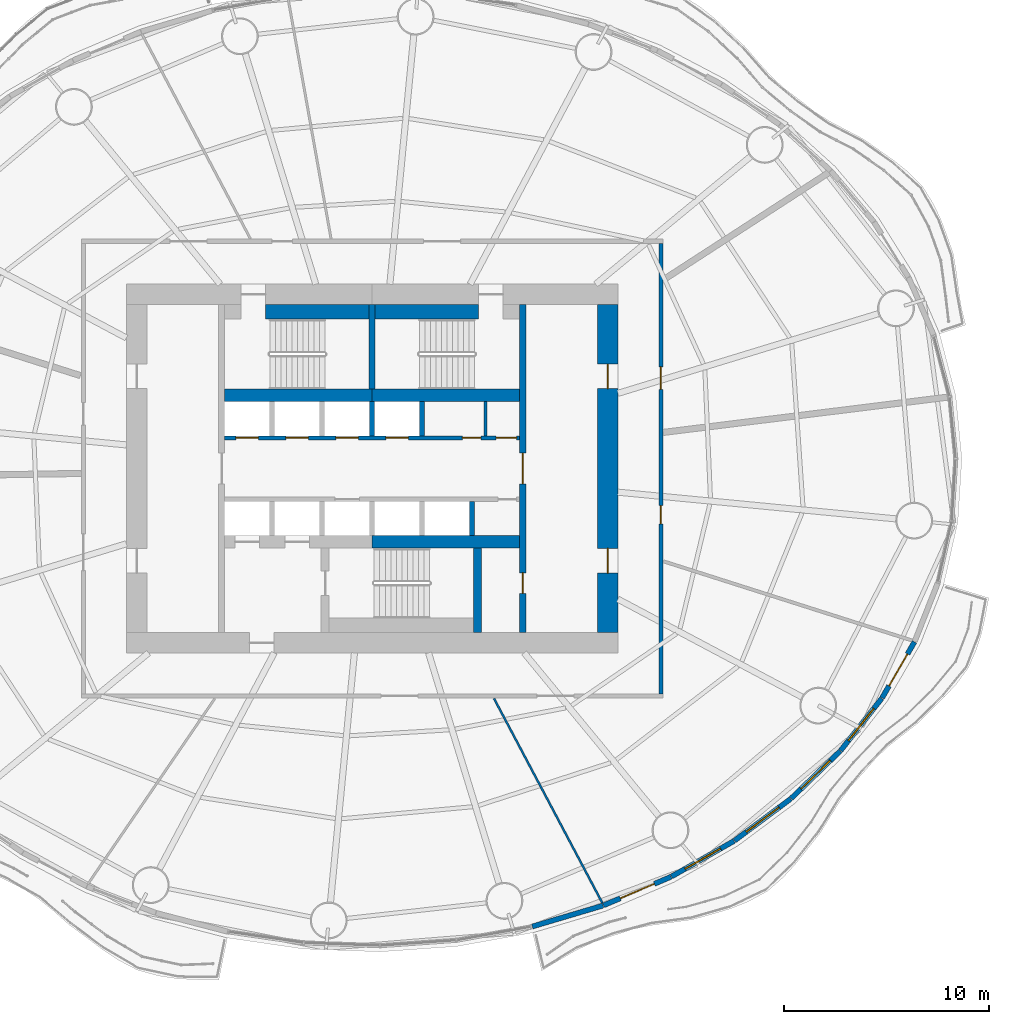
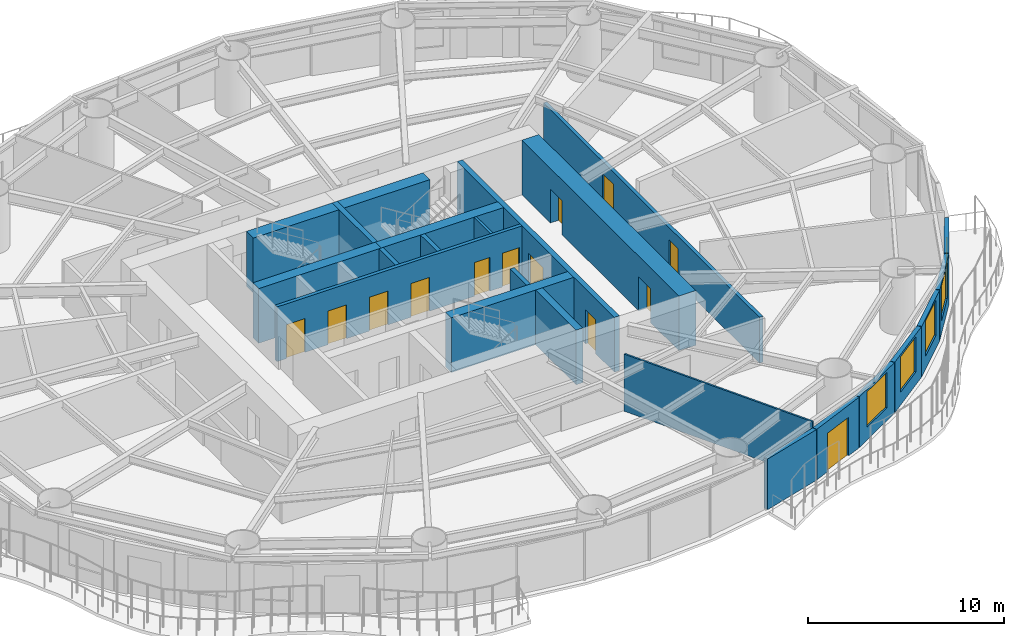
# One storey, part 9 of 17: 23 walls, 14 doors, 4 windows, 18 openings.
"""IFC4 building model written with IfcOpenShell, lengths in metres."""

from ifc_helpers import new_model, si_unit, direction, frame, frame_2d, origin, place, context, subcontext, project, spatial, rectangle, extrude, material, layer, layer_set, type_object, element, fill, save


model = new_model("IFC4")

# Units and contexts
model_context = context("Model", 3, precision=1e-05, world=origin(), true_north=direction((0.0, 1.0)))
body_context = subcontext(model_context, "Body", "Model", "MODEL_VIEW")
ifc_project = project(units=[si_unit("LENGTHUNIT", "METRE"), si_unit("AREAUNIT", "SQUARE_METRE"), si_unit("VOLUMEUNIT", "CUBIC_METRE"), si_unit("PLANEANGLEUNIT", "RADIAN"), si_unit("MASSUNIT", "GRAM", prefix="KILO")], contexts=[model_context])

# Site, building, storey
site_placement = place(None, origin())
site = spatial("IfcSite", under=ifc_project, at=site_placement, CompositionType="ELEMENT")
building_placement = place(site_placement, origin())
building = spatial("IfcBuilding", under=site, at=building_placement, Name="Vermilion Reach Broadcast Tower", CompositionType="ELEMENT")
storey_placement = place(building_placement, frame((0.0, 0.0, 39.699951171875)))
storey = spatial("IfcBuildingStorey", under=building, at=storey_placement, Name="L06", CompositionType="ELEMENT", Elevation=39.699951171875)

# Wall, openings, doors
ifc_material_1 = material(Name="Concrete C70", Category="concrete")
ifc_layer_1 = layer(ifc_material_1, 0.300048828125)
ifc_layer_set_1 = layer_set([ifc_layer_1], Name="Core inner wall 300 mm Concrete C70")
wall_type_1 = type_object("IfcWallType", Name="Core inner wall 300 mm Concrete C70", PredefinedType="SHEAR", material=ifc_layer_set_1)
wall_1_placement = place(storey_placement, frame((1.35009765625, -8.0, 0.0), z_axis=(0.0, 0.0, 1.0), x_axis=(0.0, 1.0, 0.0)))
wall_1 = element("IfcWall", 1, at=wall_1_placement, inside=storey, type_object=wall_type_1, Name="L06 core wall ewE", PredefinedType="SHEAR", context=body_context, shape_type="SweptSolid", body=[
    extrude(rectangle(XDim=16.0, YDim=0.300048828125, at=frame_2d((8.0, 0.0))), origin(), (0.0, 0.0, 1.0), 3.400146484375),
])
opening_1_placement = place(wall_1_placement, frame((1.909912109375, 0.0, 0.0)))
opening_1 = element("IfcOpeningElement", 2, at=opening_1_placement, cuts=wall_1, Name="Opening D05", PredefinedType="OPENING", context=body_context, shape_type="SweptSolid", body=[
    extrude(rectangle(XDim=1.0, YDim=2.10009765625, at=frame_2d((0.5, 1.050048828125))), frame((0.0, 0.159912109375, 0.0), z_axis=(0.0, -1.0, 0.0), x_axis=(1.0, 0.0, 0.0)), (0.0, 0.0, 1.0), 0.320068359375),
])
opening_2_placement = place(wall_1_placement, frame((7.25, 0.0, 0.0)))
opening_2 = element("IfcOpeningElement", 3, at=opening_2_placement, cuts=wall_1, Name="Opening D04", PredefinedType="OPENING", context=body_context, shape_type="SweptSolid", body=[
    extrude(rectangle(XDim=1.5, YDim=2.10009765625, at=frame_2d((0.75, 1.050048828125))), frame((0.0, 0.159912109375, 0.0), z_axis=(0.0, -1.0, 0.0), x_axis=(1.0, 0.0, 0.0)), (0.0, 0.0, 1.0), 0.320068359375),
])
ifc_material_2 = material(Name="Painted steel fire door", Category="steel")
door_type_1 = type_object("IfcDoorType", Name="Lift lobby door 1500 x 2100", OperationType="DOUBLE_DOOR_SINGLE_SWING", PredefinedType="NOTDEFINED", material=ifc_material_2)
door_1_placement = place(opening_2_placement, origin())
door_1 = element("IfcDoor", 4, at=door_1_placement, inside=storey, type_object=door_type_1, Name="L06 band door BE", OperationType="DOUBLE_DOOR_SINGLE_SWING", OverallHeight=2.10009765625, OverallWidth=1.5, PredefinedType="NOTDEFINED", context=body_context, shape_type="SweptSolid", body=[
    extrude(rectangle(XDim=1.5, YDim=2.10009765625, at=frame_2d((0.75, 1.050048828125))), frame((0.0, 0.02490234375, 0.0), z_axis=(0.0, -1.0, 0.0), x_axis=(1.0, 0.0, 0.0)), (0.0, 0.0, 1.0), 0.050048828125),
])
fill(opening_2, door_1)
ifc_material_3 = material(Name="Timber door", Category="wood")
door_type_2 = type_object("IfcDoorType", Name="Room door 1000 x 2100", OperationType="NOTDEFINED", PredefinedType="NOTDEFINED", material=ifc_material_3)
door_2_placement = place(opening_1_placement, origin())
door_2 = element("IfcDoor", 5, at=door_2_placement, inside=storey, type_object=door_type_2, Name="L06 door SER", OperationType="SINGLE_SWING_LEFT", OverallHeight=2.10009765625, OverallWidth=1.0, PredefinedType="NOTDEFINED", context=body_context, shape_type="SweptSolid", body=[
    extrude(rectangle(XDim=1.0, YDim=2.10009765625, at=frame_2d((0.5, 1.050048828125))), frame((0.0, 0.02490234375, 0.0), z_axis=(0.0, -1.0, 0.0), x_axis=(1.0, 0.0, 0.0)), (0.0, 0.0, 1.0), 0.050048828125),
])
fill(opening_1, door_2)

# Walls
wall_2_placement = place(storey_placement, frame((-6.0, 3.8798828125, 0.0), z_axis=(0.0, 0.0, 1.0), x_axis=(0.0, 1.0, 0.0)))
element("IfcWall", 6, at=wall_2_placement, inside=storey, type_object=wall_type_1, Name="L06 core wall wc", PredefinedType="SHEAR", context=body_context, shape_type="SweptSolid", body=[
    extrude(rectangle(XDim=4.1201171875, YDim=0.300048828125, at=frame_2d((2.06005859375, 0.0))), origin(), (0.0, 0.0, 1.0), 3.400146484375),
])
ifc_material_4 = material(Name="Concrete C70", Category="concrete")
ifc_layer_2 = layer(ifc_material_4, 0.39990234375)
ifc_layer_set_2 = layer_set([ifc_layer_2], Name="Core inner wall 400 mm Concrete C70")
wall_type_2 = type_object("IfcWallType", Name="Core inner wall 400 mm Concrete C70", PredefinedType="SHEAR", material=ifc_layer_set_2)
wall_3_placement = place(storey_placement, frame((-0.85009765625, -3.8798828125, 0.0), z_axis=(0.0, 0.0, 1.0), x_axis=(0.0, -1.0, 0.0)))
element("IfcWall", 7, at=wall_3_placement, inside=storey, type_object=wall_type_2, Name="L06 core wall wb", PredefinedType="SHEAR", context=body_context, shape_type="SweptSolid", body=[
    extrude(rectangle(XDim=4.1201171875, YDim=0.39990234375, at=frame_2d((2.06005859375, 0.0))), origin(), (0.0, 0.0, 1.0), 3.400146484375),
])
ifc_material_5 = material(Name="Concrete C70", Category="concrete")
ifc_layer_3 = layer(ifc_material_5, 0.60009765625)
ifc_layer_set_3 = layer_set([ifc_layer_3], Name="Core inner wall 600 mm Concrete C70")
wall_type_3 = type_object("IfcWallType", Name="Core inner wall 600 mm Concrete C70", PredefinedType="SHEAR", material=ifc_layer_set_3)
for number, where, z_axis, x_axis, name in (
    (8, (-13.199951171875, 3.580078125, 0.0), (0.0, 0.0, 1.0), (1.0, 0.0, 0.0), "L06 core wall winW"),
    (9, (-6.0, 3.580078125, 0.0), (0.0, 0.0, 1.0), (1.0, 0.0, 0.0), "L06 core wall winE"),
    (10, (-6.0, -3.580078125, 0.0), (0.0, 0.0, 1.0), (1.0, 0.0, 0.0), "L06 core wall wisE"),
):
    element("IfcWall", number, at=place(storey_placement, frame(where, z_axis=z_axis, x_axis=x_axis)), inside=storey, type_object=wall_type_3, Name=name, PredefinedType="SHEAR", context=body_context, shape_type="SweptSolid", body=[
        extrude(rectangle(XDim=7.199951171875, YDim=0.60009765625, at=frame_2d((3.60009765625, 0.0))), origin(), (0.0, 0.0, 1.0), 3.400146484375),
    ])

# Wall, openings, doors
ifc_material_6 = material(Name="Concrete C70", Category="concrete")
ifc_layer_4 = layer(ifc_material_6, 1.0)
ifc_layer_set_4 = layer_set([ifc_layer_4], Name="Core outer wall 1000 mm Concrete C70")
wall_type_4 = type_object("IfcWallType", Name="Core outer wall 1000 mm Concrete C70", PredefinedType="SHEAR", material=ifc_layer_set_4)
wall_4_placement = place(storey_placement, frame((5.5, -8.0, 0.0), z_axis=(0.0, 0.0, 1.0), x_axis=(0.0, 1.0, 0.0)))
wall_4 = element("IfcWall", 11, at=wall_4_placement, inside=storey, type_object=wall_type_4, Name="L06 core wall oe", PredefinedType="SHEAR", context=body_context, shape_type="SweptSolid", body=[
    extrude(rectangle(XDim=16.0, YDim=1.0, at=frame_2d((8.0, 0.0))), origin(), (0.0, 0.0, 1.0), 3.400146484375),
])
opening_3_placement = place(wall_4_placement, frame((2.89990234375, 0.0, 0.0)))
opening_3 = element("IfcOpeningElement", 12, at=opening_3_placement, cuts=wall_4, Name="Opening D03", PredefinedType="OPENING", context=body_context, shape_type="SweptSolid", body=[
    extrude(rectangle(XDim=1.199951171875, YDim=2.10009765625, at=frame_2d((0.60009765625, 1.050048828125))), frame((0.0, 0.510009765625, 0.0), z_axis=(0.0, -1.0, 0.0), x_axis=(1.0, 0.0, 0.0)), (0.0, 0.0, 1.0), 1.02001953125),
])
opening_4_placement = place(wall_4_placement, frame((11.89990234375, 0.0, 0.0)))
opening_4 = element("IfcOpeningElement", 13, at=opening_4_placement, cuts=wall_4, Name="Opening D03", PredefinedType="OPENING", context=body_context, shape_type="SweptSolid", body=[
    extrude(rectangle(XDim=1.199951171875, YDim=2.10009765625, at=frame_2d((0.60009765625, 1.050048828125))), frame((0.0, 0.510009765625, 0.0), z_axis=(0.0, -1.0, 0.0), x_axis=(1.0, 0.0, 0.0)), (0.0, 0.0, 1.0), 1.02001953125),
])
ifc_material_7 = material(Name="Painted steel fire door", Category="steel")
door_type_3 = type_object("IfcDoorType", Name="Core lobby door 1200 x 2100", OperationType="DOUBLE_DOOR_SINGLE_SWING", PredefinedType="NOTDEFINED", material=ifc_material_7)
door_3_placement = place(opening_3_placement, origin())
door_3 = element("IfcDoor", 14, at=door_3_placement, inside=storey, type_object=door_type_3, Name="L06 slot door E0", OperationType="DOUBLE_DOOR_SINGLE_SWING", OverallHeight=2.10009765625, OverallWidth=1.199951171875, PredefinedType="NOTDEFINED", context=body_context, shape_type="SweptSolid", body=[
    extrude(rectangle(XDim=1.199951171875, YDim=2.10009765625, at=frame_2d((0.60009765625, 1.050048828125))), frame((0.0, 0.02490234375, 0.0), z_axis=(0.0, -1.0, 0.0), x_axis=(1.0, 0.0, 0.0)), (0.0, 0.0, 1.0), 0.050048828125),
])
fill(opening_3, door_3)
door_4_placement = place(opening_4_placement, origin())
door_4 = element("IfcDoor", 15, at=door_4_placement, inside=storey, type_object=door_type_3, Name="L06 slot door E1", OperationType="DOUBLE_DOOR_SINGLE_SWING", OverallHeight=2.10009765625, OverallWidth=1.199951171875, PredefinedType="NOTDEFINED", context=body_context, shape_type="SweptSolid", body=[
    extrude(rectangle(XDim=1.199951171875, YDim=2.10009765625, at=frame_2d((0.60009765625, 1.050048828125))), frame((0.0, 0.02490234375, 0.0), z_axis=(0.0, -1.0, 0.0), x_axis=(1.0, 0.0, 0.0)), (0.0, 0.0, 1.0), 0.050048828125),
])
fill(opening_4, door_4)

# Wall
ifc_material_8 = material(Name="Masonry block", Category="masonry")
ifc_layer_5 = layer(ifc_material_8, 0.14990234375)
ifc_layer_set_5 = layer_set([ifc_layer_5], Name="Core partition wall 150 mm Masonry block")
wall_type_5 = type_object("IfcWallType", Name="Core partition wall 150 mm Masonry block", PredefinedType="PARTITIONING", material=ifc_layer_set_5)
wall_5_placement = place(storey_placement, frame((-0.468017578125, 1.60009765625, 0.0), z_axis=(0.0, 0.0, 1.0), x_axis=(0.0, 1.0, 0.0)))
element("IfcWall", 16, at=wall_5_placement, inside=storey, type_object=wall_type_5, Name="L06 core wall prN5532", PredefinedType="PARTITIONING", context=body_context, shape_type="SweptSolid", body=[
    extrude(rectangle(XDim=1.679931640625, YDim=0.14990234375, at=frame_2d((0.83984375, 0.0))), origin(), (0.0, 0.0, 1.0), 3.400146484375),
])

# Wall, openings, doors
ifc_material_9 = material(Name="Concrete C50", Category="concrete")
ifc_layer_6 = layer(ifc_material_9, 0.199951171875)
ifc_layer_set_6 = layer_set([ifc_layer_6], Name="Core shaft wall 200 mm Concrete C50")
wall_type_6 = type_object("IfcWallType", Name="Core shaft wall 200 mm Concrete C50", PredefinedType="SHEAR", material=ifc_layer_set_6)
wall_6_placement = place(storey_placement, frame((-13.199951171875, 1.5, 0.0), z_axis=(0.0, 0.0, 1.0), x_axis=(1.0, 0.0, 0.0)))
wall_6 = element("IfcWall", 17, at=wall_6_placement, inside=storey, type_object=wall_type_6, Name="L06 core wall fn", PredefinedType="SHEAR", context=body_context, shape_type="SweptSolid", body=[
    extrude(rectangle(XDim=14.39990234375, YDim=0.199951171875, at=frame_2d((7.199951171875, 0.0))), origin(), (0.0, 0.0, 1.0), 3.400146484375),
])
opening_5_placement = place(wall_6_placement, frame((0.5458984375, 0.0, 0.0)))
opening_5 = element("IfcOpeningElement", 18, at=opening_5_placement, cuts=wall_6, Name="Opening LD2", PredefinedType="OPENING", context=body_context, shape_type="SweptSolid", body=[
    extrude(rectangle(XDim=1.10009765625, YDim=2.10009765625, at=frame_2d((0.550048828125, 1.050048828125))), frame((0.0, 0.10986328125, 0.0), z_axis=(0.0, -1.0, 0.0), x_axis=(1.0, 0.0, 0.0)), (0.0, 0.0, 1.0), 0.219970703125),
])
opening_6_placement = place(wall_6_placement, frame((2.987548828125, 0.0, 0.0)))
opening_6 = element("IfcOpeningElement", 19, at=opening_6_placement, cuts=wall_6, Name="Opening LD2", PredefinedType="OPENING", context=body_context, shape_type="SweptSolid", body=[
    extrude(rectangle(XDim=1.10009765625, YDim=2.10009765625, at=frame_2d((0.550048828125, 1.050048828125))), frame((0.0, 0.10986328125, 0.0), z_axis=(0.0, -1.0, 0.0), x_axis=(1.0, 0.0, 0.0)), (0.0, 0.0, 1.0), 0.219970703125),
])
opening_7_placement = place(wall_6_placement, frame((5.42919921875, 0.0, 0.0)))
opening_7 = element("IfcOpeningElement", 20, at=opening_7_placement, cuts=wall_6, Name="Opening LD2", PredefinedType="OPENING", context=body_context, shape_type="SweptSolid", body=[
    extrude(rectangle(XDim=1.10009765625, YDim=2.10009765625, at=frame_2d((0.550048828125, 1.050048828125))), frame((0.0, 0.10986328125, 0.0), z_axis=(0.0, -1.0, 0.0), x_axis=(1.0, 0.0, 0.0)), (0.0, 0.0, 1.0), 0.219970703125),
])
opening_8_placement = place(wall_6_placement, frame((7.870849609375, 0.0, 0.0)))
opening_8 = element("IfcOpeningElement", 21, at=opening_8_placement, cuts=wall_6, Name="Opening LD2", PredefinedType="OPENING", context=body_context, shape_type="SweptSolid", body=[
    extrude(rectangle(XDim=1.10009765625, YDim=2.10009765625, at=frame_2d((0.550048828125, 1.050048828125))), frame((0.0, 0.10986328125, 0.0), z_axis=(0.0, -1.0, 0.0), x_axis=(1.0, 0.0, 0.0)), (0.0, 0.0, 1.0), 0.219970703125),
])
opening_9_placement = place(wall_6_placement, frame((11.60693359375, 0.0, 0.0)))
opening_9 = element("IfcOpeningElement", 22, at=opening_9_placement, cuts=wall_6, Name="Opening D06", PredefinedType="OPENING", context=body_context, shape_type="SweptSolid", body=[
    extrude(rectangle(XDim=0.89990234375, YDim=2.10009765625, at=frame_2d((0.449951171875, 1.050048828125))), frame((0.0, 0.10986328125, 0.0), z_axis=(0.0, -1.0, 0.0), x_axis=(1.0, 0.0, 0.0)), (0.0, 0.0, 1.0), 0.219970703125),
])
opening_10_placement = place(wall_6_placement, frame((13.25, 0.0, 0.0)))
opening_10 = element("IfcOpeningElement", 23, at=opening_10_placement, cuts=wall_6, Name="Opening D07", PredefinedType="OPENING", context=body_context, shape_type="SweptSolid", body=[
    extrude(rectangle(XDim=1.0, YDim=2.10009765625, at=frame_2d((0.5, 1.050048828125))), frame((0.0, 0.10986328125, 0.0), z_axis=(0.0, -1.0, 0.0), x_axis=(1.0, 0.0, 0.0)), (0.0, 0.0, 1.0), 0.219970703125),
])
ifc_material_10 = material(Name="Timber door", Category="wood")
door_type_4 = type_object("IfcDoorType", Name="Accessible WC door 1000 x 2100", OperationType="NOTDEFINED", PredefinedType="NOTDEFINED", material=ifc_material_10)
door_5_placement = place(opening_10_placement, origin())
door_5 = element("IfcDoor", 24, at=door_5_placement, inside=storey, type_object=door_type_4, Name="L06 door Accessible WC", OperationType="SINGLE_SWING_RIGHT", OverallHeight=2.10009765625, OverallWidth=1.0, PredefinedType="NOTDEFINED", context=body_context, shape_type="SweptSolid", body=[
    extrude(rectangle(XDim=1.0, YDim=2.10009765625, at=frame_2d((0.5, 1.050048828125))), frame((0.0, 0.02490234375, 0.0), z_axis=(0.0, -1.0, 0.0), x_axis=(1.0, 0.0, 0.0)), (0.0, 0.0, 1.0), 0.050048828125),
])
fill(opening_10, door_5)
ifc_material_11 = material(Name="Stainless steel", Category="steel")
door_type_5 = type_object("IfcDoorType", Name="Landing door 1100 x 2100", OperationType="DOUBLE_DOOR_SLIDING", PredefinedType="NOTDEFINED", material=ifc_material_11)
door_6_placement = place(opening_5_placement, origin())
door_6 = element("IfcDoor", 25, at=door_6_placement, inside=storey, type_object=door_type_5, Name="L06 landing door LR1", OperationType="DOUBLE_DOOR_SLIDING", OverallHeight=2.10009765625, OverallWidth=1.10009765625, PredefinedType="NOTDEFINED", context=body_context, shape_type="SweptSolid", body=[
    extrude(rectangle(XDim=1.10009765625, YDim=2.10009765625, at=frame_2d((0.550048828125, 1.050048828125))), frame((0.0, 0.02490234375, 0.0), z_axis=(0.0, -1.0, 0.0), x_axis=(1.0, 0.0, 0.0)), (0.0, 0.0, 1.0), 0.050048828125),
])
fill(opening_5, door_6)
door_7_placement = place(opening_6_placement, origin())
door_7 = element("IfcDoor", 26, at=door_7_placement, inside=storey, type_object=door_type_5, Name="L06 landing door LR2", OperationType="DOUBLE_DOOR_SLIDING", OverallHeight=2.10009765625, OverallWidth=1.10009765625, PredefinedType="NOTDEFINED", context=body_context, shape_type="SweptSolid", body=[
    extrude(rectangle(XDim=1.10009765625, YDim=2.10009765625, at=frame_2d((0.550048828125, 1.050048828125))), frame((0.0, 0.02490234375, 0.0), z_axis=(0.0, -1.0, 0.0), x_axis=(1.0, 0.0, 0.0)), (0.0, 0.0, 1.0), 0.050048828125),
])
fill(opening_6, door_7)
door_8_placement = place(opening_7_placement, origin())
door_8 = element("IfcDoor", 27, at=door_8_placement, inside=storey, type_object=door_type_5, Name="L06 landing door LR3", OperationType="DOUBLE_DOOR_SLIDING", OverallHeight=2.10009765625, OverallWidth=1.10009765625, PredefinedType="NOTDEFINED", context=body_context, shape_type="SweptSolid", body=[
    extrude(rectangle(XDim=1.10009765625, YDim=2.10009765625, at=frame_2d((0.550048828125, 1.050048828125))), frame((0.0, 0.02490234375, 0.0), z_axis=(0.0, -1.0, 0.0), x_axis=(1.0, 0.0, 0.0)), (0.0, 0.0, 1.0), 0.050048828125),
])
fill(opening_7, door_8)
door_9_placement = place(opening_8_placement, origin())
door_9 = element("IfcDoor", 28, at=door_9_placement, inside=storey, type_object=door_type_5, Name="L06 landing door LR4", OperationType="DOUBLE_DOOR_SLIDING", OverallHeight=2.10009765625, OverallWidth=1.10009765625, PredefinedType="NOTDEFINED", context=body_context, shape_type="SweptSolid", body=[
    extrude(rectangle(XDim=1.10009765625, YDim=2.10009765625, at=frame_2d((0.550048828125, 1.050048828125))), frame((0.0, 0.02490234375, 0.0), z_axis=(0.0, -1.0, 0.0), x_axis=(1.0, 0.0, 0.0)), (0.0, 0.0, 1.0), 0.050048828125),
])
fill(opening_8, door_9)
ifc_material_12 = material(Name="Timber door", Category="wood")
door_type_6 = type_object("IfcDoorType", Name="WC door 900 x 2100", OperationType="NOTDEFINED", PredefinedType="NOTDEFINED", material=ifc_material_12)
door_10_placement = place(opening_9_placement, origin())
door_10 = element("IfcDoor", 29, at=door_10_placement, inside=storey, type_object=door_type_6, Name="L06 door Female WC", OperationType="SINGLE_SWING_RIGHT", OverallHeight=2.10009765625, OverallWidth=0.89990234375, PredefinedType="NOTDEFINED", context=body_context, shape_type="SweptSolid", body=[
    extrude(rectangle(XDim=0.89990234375, YDim=2.10009765625, at=frame_2d((0.449951171875, 1.050048828125))), frame((0.0, 0.02490234375, 0.0), z_axis=(0.0, -1.0, 0.0), x_axis=(1.0, 0.0, 0.0)), (0.0, 0.0, 1.0), 0.050048828125),
])
fill(opening_9, door_10)

# Walls
ifc_material_13 = material(Name="Concrete C50", Category="concrete")
ifc_layer_7 = layer(ifc_material_13, 0.25)
ifc_layer_set_7 = layer_set([ifc_layer_7], Name="Core shaft wall 250 mm Concrete C50")
wall_type_7 = type_object("IfcWallType", Name="Core shaft wall 250 mm Concrete C50", PredefinedType="SHEAR", material=ifc_layer_set_7)
for number, where, z_axis, x_axis, name in (
    (30, (-6.0, 1.60009765625, 0.0), (0.0, 0.0, 1.0), (0.0, 1.0, 0.0), "L06 core wall psN2"),
    (31, (-3.558349609375, 1.60009765625, 0.0), (0.0, 0.0, 1.0), (0.0, 1.0, 0.0), "L06 core wall psN3"),
    (32, (-1.11669921875, -1.60009765625, 0.0), (0.0, 0.0, 1.0), (0.0, -1.0, 0.0), "L06 core wall psS4"),
):
    element("IfcWall", number, at=place(storey_placement, frame(where, z_axis=z_axis, x_axis=x_axis)), inside=storey, type_object=wall_type_7, Name=name, PredefinedType="SHEAR", context=body_context, shape_type="SweptSolid", body=[
        extrude(rectangle(XDim=1.679931640625, YDim=0.25, at=frame_2d((0.83984375, 0.0))), origin(), (0.0, 0.0, 1.0), 3.400146484375),
    ])
ifc_material_14 = material(Name="Concrete C70", Category="concrete")
ifc_layer_8 = layer(ifc_material_14, 0.699951171875)
ifc_layer_set_8 = layer_set([ifc_layer_8], Name="Core stair wall 700 mm Concrete C70")
wall_type_8 = type_object("IfcWallType", Name="Core stair wall 700 mm Concrete C70", PredefinedType="SHEAR", material=ifc_layer_set_8)
for number, where, z_axis, x_axis, name in (
    (33, (-11.199951171875, 7.64990234375, 0.0), (0.0, 0.0, 1.0), (1.0, 0.0, 0.0), "L06 core wall l1b"),
    (34, (-5.85009765625, 7.64990234375, 0.0), (0.0, 0.0, 1.0), (1.0, 0.0, 0.0), "L06 core wall l2a"),
):
    element("IfcWall", number, at=place(storey_placement, frame(where, z_axis=z_axis, x_axis=x_axis)), inside=storey, type_object=wall_type_8, Name=name, PredefinedType="SHEAR", context=body_context, shape_type="SweptSolid", body=[
        extrude(rectangle(XDim=5.050048828125, YDim=0.699951171875, at=frame_2d((2.52490234375, 0.0))), origin(), (0.0, 0.0, 1.0), 3.400146484375),
    ])
ifc_material_15 = material(Name="Plasterboard on steel stud", Category="steel")
ifc_layer_9 = layer(ifc_material_15, 0.10009765625)
ifc_layer_set_9 = layer_set([ifc_layer_9], Name="Partition 100 steel stud")
wall_type_9 = type_object("IfcWallType", Name="Partition 100 steel stud", PredefinedType="PARTITIONING", material=ifc_layer_set_9)
wall_7_placement = place(storey_placement, frame((5.241455078125, -21.21533203125, 0.0), z_axis=(0.0, 0.0, 1.0), x_axis=(-0.468204132098, 0.883620331752, 0.0)))
element("IfcWall", 35, at=wall_7_placement, inside=storey, type_object=wall_type_9, Name="Partition 6.08", PredefinedType="PARTITIONING", context=body_context, shape_type="SweptSolid", body=[
    extrude(rectangle(XDim=11.307861328125, YDim=0.10009765625, at=frame_2d((5.65380859375, 0.0))), origin(), (0.0, 0.0, 1.0), 3.550048828125),
])
ifc_material_16 = material(Name="Terracotta rainscreen cladding", Category="masonry")
ifc_layer_10 = layer(ifc_material_16, 0.25)
ifc_layer_set_10 = layer_set([ifc_layer_10], Name="Terracotta rainscreen wall 250")
wall_type_10 = type_object("IfcWallType", Name="Terracotta rainscreen wall 250", PredefinedType="SOLIDWALL", material=ifc_layer_set_10)
wall_8_placement = place(storey_placement, frame((1.818115234375, -22.35986328125, 0.0), z_axis=(0.0, 0.0, 1.0), x_axis=(0.958796062101, 0.284095250399, 0.0)))
element("IfcWall", 36, at=wall_8_placement, inside=storey, type_object=wall_type_10, Name="External wall L06 38", PredefinedType="SOLIDWALL", context=body_context, shape_type="SweptSolid", body=[
    extrude(rectangle(XDim=3.603271484375, YDim=0.25, at=frame_2d((1.8017578125, 0.0))), origin(), (0.0, 0.0, 1.0), 3.150146484375),
])

# Wall, opening, door
wall_9_placement = place(storey_placement, frame((5.293701171875, -21.32861328125, 0.0), z_axis=(0.0, 0.0, 1.0), x_axis=(0.920777409004, 0.390088404169, 0.0)))
wall_9 = element("IfcWall", 37, at=wall_9_placement, inside=storey, type_object=wall_type_10, Name="External wall L06 39", PredefinedType="SOLIDWALL", context=body_context, shape_type="SweptSolid", body=[
    extrude(rectangle(XDim=3.58740234375, YDim=0.25, at=frame_2d((1.793701171875, 0.0))), origin(), (0.0, 0.0, 1.0), 3.150146484375),
])
opening_11_placement = place(wall_9_placement, frame((0.89404296875, 0.0, 0.0)))
opening_11 = element("IfcOpeningElement", 38, at=opening_11_placement, cuts=wall_9, Name="Opening D70", PredefinedType="OPENING", context=body_context, shape_type="SweptSolid", body=[
    extrude(rectangle(XDim=1.800048828125, YDim=2.39990234375, at=frame_2d((0.89990234375, 1.199951171875))), frame((0.0, 0.135009765625, 0.0), z_axis=(0.0, -1.0, 0.0), x_axis=(1.0, 0.0, 0.0)), (0.0, 0.0, 1.0), 0.27001953125),
])
ifc_material_17 = material(Name="Low-e laminated clear glass in aluminium frame", Category="aluminium")
door_type_7 = type_object("IfcDoorType", Name="Balcony sliding door 1800 x 2400", OperationType="DOUBLE_DOOR_SLIDING", PredefinedType="DOOR", material=ifc_material_17)
door_11_placement = place(opening_11_placement, origin())
door_11 = element("IfcDoor", 39, at=door_11_placement, inside=storey, type_object=door_type_7, Name="Balcony door L06 run 10", OperationType="DOUBLE_DOOR_SLIDING", OverallHeight=2.39990234375, OverallWidth=1.800048828125, PredefinedType="DOOR", context=body_context, shape_type="SweptSolid", body=[
    extrude(rectangle(XDim=1.800048828125, YDim=2.39990234375, at=frame_2d((0.89990234375, 1.199951171875))), frame((0.0, 0.02490234375, 0.0), z_axis=(0.0, -1.0, 0.0), x_axis=(1.0, 0.0, 0.0)), (0.0, 0.0, 1.0), 0.050048828125),
])
fill(opening_11, door_11)

# Wall, opening, window
wall_10_placement = place(storey_placement, frame((8.6171875, -19.919189453125, 0.0), z_axis=(0.0, 0.0, 1.0), x_axis=(0.868943789931, 0.494910789881, 0.0)))
wall_10 = element("IfcWall", 40, at=wall_10_placement, inside=storey, type_object=wall_type_10, Name="External wall L06 40", PredefinedType="SOLIDWALL", context=body_context, shape_type="SweptSolid", body=[
    extrude(rectangle(XDim=3.51220703125, YDim=0.25, at=frame_2d((1.756103515625, 0.0))), origin(), (0.0, 0.0, 1.0), 3.150146484375),
])
opening_12_placement = place(wall_10_placement, frame((0.756103515625, 0.0, 0.800048828125)))
opening_12 = element("IfcOpeningElement", 41, at=opening_12_placement, cuts=wall_10, Name="Opening W01", PredefinedType="OPENING", context=body_context, shape_type="SweptSolid", body=[
    extrude(rectangle(XDim=2.0, YDim=2.199951171875, at=frame_2d((1.0, 1.10009765625))), frame((0.0, 0.135009765625, 0.0), z_axis=(0.0, -1.0, 0.0), x_axis=(1.0, 0.0, 0.0)), (0.0, 0.0, 1.0), 0.27001953125),
])
ifc_material_18 = material(Name="Low-e laminated clear glass in aluminium frame", Category="aluminium")
window_type = type_object("IfcWindowType", Name="Punched window 2000 x 2200 sill 800", PartitioningType="SINGLE_PANEL", PredefinedType="WINDOW", material=ifc_material_18)
window_1_placement = place(opening_12_placement, origin())
window_1 = element("IfcWindow", 42, at=window_1_placement, inside=storey, type_object=window_type, Name="Window L06 40", OverallHeight=2.199951171875, OverallWidth=2.0, PartitioningType="SINGLE_PANEL", PredefinedType="WINDOW", context=body_context, shape_type="SweptSolid", body=[
    extrude(rectangle(XDim=2.0, YDim=2.199951171875, at=frame_2d((1.0, 1.10009765625))), frame((0.0, 0.030029296875, 0.0), z_axis=(0.0, -1.0, 0.0), x_axis=(1.0, 0.0, 0.0)), (0.0, 0.0, 1.0), 0.06005859375),
])
fill(opening_12, window_1)

wall_11_placement = place(storey_placement, frame((11.688720703125, -18.168212890625, 0.0), z_axis=(0.0, 0.0, 1.0), x_axis=(0.802166551417, 0.597100346498, 0.0)))
wall_11 = element("IfcWall", 43, at=wall_11_placement, inside=storey, type_object=wall_type_10, Name="External wall L06 41", PredefinedType="SOLIDWALL", context=body_context, shape_type="SweptSolid", body=[
    extrude(rectangle(XDim=3.42626953125, YDim=0.25, at=frame_2d((1.713134765625, 0.0))), origin(), (0.0, 0.0, 1.0), 3.150146484375),
])
opening_13_placement = place(wall_11_placement, frame((0.71337890625, 0.0, 0.800048828125)))
opening_13 = element("IfcOpeningElement", 44, at=opening_13_placement, cuts=wall_11, Name="Opening W01", PredefinedType="OPENING", context=body_context, shape_type="SweptSolid", body=[
    extrude(rectangle(XDim=2.0, YDim=2.199951171875, at=frame_2d((1.0, 1.10009765625))), frame((0.0, 0.135009765625, 0.0), z_axis=(0.0, -1.0, 0.0), x_axis=(1.0, 0.0, 0.0)), (0.0, 0.0, 1.0), 0.27001953125),
])
window_2_placement = place(opening_13_placement, origin())
window_2 = element("IfcWindow", 45, at=window_2_placement, inside=storey, type_object=window_type, Name="Window L06 41", OverallHeight=2.199951171875, OverallWidth=2.0, PartitioningType="SINGLE_PANEL", PredefinedType="WINDOW", context=body_context, shape_type="SweptSolid", body=[
    extrude(rectangle(XDim=2.0, YDim=2.199951171875, at=frame_2d((1.0, 1.10009765625))), frame((0.0, 0.030029296875, 0.0), z_axis=(0.0, -1.0, 0.0), x_axis=(1.0, 0.0, 0.0)), (0.0, 0.0, 1.0), 0.06005859375),
])
fill(opening_13, window_2)

wall_12_placement = place(storey_placement, frame((14.45556640625, -16.106689453125, 0.0), z_axis=(0.0, 0.0, 1.0), x_axis=(0.719152952807, 0.694851804682, 0.0)))
wall_12 = element("IfcWall", 46, at=wall_12_placement, inside=storey, type_object=wall_type_10, Name="External wall L06 42", PredefinedType="SOLIDWALL", context=body_context, shape_type="SweptSolid", body=[
    extrude(rectangle(XDim=3.33544921875, YDim=0.25, at=frame_2d((1.667724609375, 0.0))), origin(), (0.0, 0.0, 1.0), 3.150146484375),
])
opening_14_placement = place(wall_12_placement, frame((0.667724609375, 0.0, 0.800048828125)))
opening_14 = element("IfcOpeningElement", 47, at=opening_14_placement, cuts=wall_12, Name="Opening W01", PredefinedType="OPENING", context=body_context, shape_type="SweptSolid", body=[
    extrude(rectangle(XDim=2.0, YDim=2.199951171875, at=frame_2d((1.0, 1.10009765625))), frame((0.0, 0.135009765625, 0.0), z_axis=(0.0, -1.0, 0.0), x_axis=(1.0, 0.0, 0.0)), (0.0, 0.0, 1.0), 0.27001953125),
])
window_3_placement = place(opening_14_placement, origin())
window_3 = element("IfcWindow", 48, at=window_3_placement, inside=storey, type_object=window_type, Name="Window L06 42", OverallHeight=2.199951171875, OverallWidth=2.0, PartitioningType="SINGLE_PANEL", PredefinedType="WINDOW", context=body_context, shape_type="SweptSolid", body=[
    extrude(rectangle(XDim=2.0, YDim=2.199951171875, at=frame_2d((1.0, 1.10009765625))), frame((0.0, 0.030029296875, 0.0), z_axis=(0.0, -1.0, 0.0), x_axis=(1.0, 0.0, 0.0)), (0.0, 0.0, 1.0), 0.06005859375),
])
fill(opening_14, window_3)

wall_13_placement = place(storey_placement, frame((16.870849609375, -13.7705078125, 0.0), z_axis=(0.0, 0.0, 1.0), x_axis=(0.618897546754, 0.785471722357, 0.0)))
wall_13 = element("IfcWall", 49, at=wall_13_placement, inside=storey, type_object=wall_type_10, Name="External wall L06 43", PredefinedType="SOLIDWALL", context=body_context, shape_type="SweptSolid", body=[
    extrude(rectangle(XDim=3.244873046875, YDim=0.25, at=frame_2d((1.62255859375, 0.0))), origin(), (0.0, 0.0, 1.0), 3.150146484375),
])
opening_15_placement = place(wall_13_placement, frame((0.622314453125, 0.0, 0.800048828125)))
opening_15 = element("IfcOpeningElement", 50, at=opening_15_placement, cuts=wall_13, Name="Opening W01", PredefinedType="OPENING", context=body_context, shape_type="SweptSolid", body=[
    extrude(rectangle(XDim=2.0, YDim=2.199951171875, at=frame_2d((1.0, 1.10009765625))), frame((0.0, 0.135009765625, 0.0), z_axis=(0.0, -1.0, 0.0), x_axis=(1.0, 0.0, 0.0)), (0.0, 0.0, 1.0), 0.27001953125),
])
window_4_placement = place(opening_15_placement, origin())
window_4 = element("IfcWindow", 51, at=window_4_placement, inside=storey, type_object=window_type, Name="Window L06 43", OverallHeight=2.199951171875, OverallWidth=2.0, PartitioningType="SINGLE_PANEL", PredefinedType="WINDOW", context=body_context, shape_type="SweptSolid", body=[
    extrude(rectangle(XDim=2.0, YDim=2.199951171875, at=frame_2d((1.0, 1.10009765625))), frame((0.0, 0.030029296875, 0.0), z_axis=(0.0, -1.0, 0.0), x_axis=(1.0, 0.0, 0.0)), (0.0, 0.0, 1.0), 0.06005859375),
])
fill(opening_15, window_4)

# Wall, opening, door
wall_14_placement = place(storey_placement, frame((18.8935546875, -11.200439453125, 0.0), z_axis=(0.0, 0.0, 1.0), x_axis=(0.501203693301, 0.86532933489, 0.0)))
wall_14 = element("IfcWall", 52, at=wall_14_placement, inside=storey, type_object=wall_type_10, Name="External wall L06 44", PredefinedType="SOLIDWALL", context=body_context, shape_type="SweptSolid", body=[
    extrude(rectangle(XDim=3.161376953125, YDim=0.25, at=frame_2d((1.58056640625, 0.0))), origin(), (0.0, 0.0, 1.0), 3.150146484375),
])
opening_16_placement = place(wall_14_placement, frame((0.680908203125, 0.0, 0.0)))
opening_16 = element("IfcOpeningElement", 53, at=opening_16_placement, cuts=wall_14, Name="Opening D70", PredefinedType="OPENING", context=body_context, shape_type="SweptSolid", body=[
    extrude(rectangle(XDim=1.800048828125, YDim=2.39990234375, at=frame_2d((0.89990234375, 1.199951171875))), frame((0.0, 0.135009765625, 0.0), z_axis=(0.0, -1.0, 0.0), x_axis=(1.0, 0.0, 0.0)), (0.0, 0.0, 1.0), 0.27001953125),
])
door_12_placement = place(opening_16_placement, origin())
door_12 = element("IfcDoor", 54, at=door_12_placement, inside=storey, type_object=door_type_7, Name="Balcony door L06 run 11", OperationType="DOUBLE_DOOR_SLIDING", OverallHeight=2.39990234375, OverallWidth=1.800048828125, PredefinedType="DOOR", context=body_context, shape_type="SweptSolid", body=[
    extrude(rectangle(XDim=1.800048828125, YDim=2.39990234375, at=frame_2d((0.89990234375, 1.199951171875))), frame((0.0, 0.02490234375, 0.0), z_axis=(0.0, -1.0, 0.0), x_axis=(1.0, 0.0, 0.0)), (0.0, 0.0, 1.0), 0.050048828125),
])
fill(opening_16, door_12)

# Wall, openings, doors
ifc_material_19 = material(Name="Fire-rated gypsum board partition")
ifc_layer_11 = layer(ifc_material_19, 0.199951171875)
ifc_layer_set_11 = layer_set([ifc_layer_11], Name="Under girder: Corridor wall 200 fire-rated")
wall_type_11 = type_object("IfcWallType", Name="Under girder: Corridor wall 200 fire-rated", PredefinedType="PARTITIONING", material=ifc_layer_set_11)
wall_15_placement = place(storey_placement, frame((8.10009765625, 11.0, 0.0), z_axis=(0.0, 0.0, 1.0), x_axis=(0.0, -1.0, 0.0)))
wall_15 = element("IfcWall", 55, at=wall_15_placement, inside=storey, type_object=wall_type_11, Name="Corridor wall 6.E", PredefinedType="PARTITIONING", context=body_context, shape_type="SweptSolid", body=[
    extrude(rectangle(XDim=22.0, YDim=0.199951171875, at=frame_2d((11.0, 0.0))), origin(), (0.0, 0.0, 1.0), 2.85009765625),
])
opening_17_placement = place(wall_15_placement, frame((6.035888671875, 0.0, 0.0)))
opening_17 = element("IfcOpeningElement", 56, at=opening_17_placement, cuts=wall_15, Name="Opening D28", PredefinedType="OPENING", context=body_context, shape_type="SweptSolid", body=[
    extrude(rectangle(XDim=1.10009765625, YDim=2.10009765625, at=frame_2d((0.550048828125, 1.050048828125))), frame((0.0, 0.10986328125, 0.0), z_axis=(0.0, -1.0, 0.0), x_axis=(1.0, 0.0, 0.0)), (0.0, 0.0, 1.0), 0.219970703125),
])
opening_18_placement = place(wall_15_placement, frame((12.80712890625, 0.0, 0.0)))
opening_18 = element("IfcOpeningElement", 57, at=opening_18_placement, cuts=wall_15, Name="Opening D22", PredefinedType="OPENING", context=body_context, shape_type="SweptSolid", body=[
    extrude(rectangle(XDim=0.89990234375, YDim=2.10009765625, at=frame_2d((0.449951171875, 1.050048828125))), frame((0.0, 0.10986328125, 0.0), z_axis=(0.0, -1.0, 0.0), x_axis=(1.0, 0.0, 0.0)), (0.0, 0.0, 1.0), 0.219970703125),
])
ifc_material_20 = material(Name="Acoustic sound-lock door leaf")
door_type_8 = type_object("IfcDoorType", Name="Door single 1100x2100", OperationType="NOTDEFINED", PredefinedType="DOOR", material=ifc_material_20)
door_13_placement = place(opening_17_placement, origin())
door_13 = element("IfcDoor", 58, at=door_13_placement, inside=storey, type_object=door_type_8, Name="Door 6.01", OperationType="SINGLE_SWING_RIGHT", OverallHeight=2.10009765625, OverallWidth=1.10009765625, PredefinedType="DOOR", context=body_context, shape_type="SweptSolid", body=[
    extrude(rectangle(XDim=1.10009765625, YDim=2.10009765625, at=frame_2d((0.550048828125, 1.050048828125))), frame((0.0, 0.02490234375, 0.0), z_axis=(0.0, -1.0, 0.0), x_axis=(1.0, 0.0, 0.0)), (0.0, 0.0, 1.0), 0.050048828125),
])
fill(opening_17, door_13)
ifc_material_21 = material(Name="Timber door leaf", Category="wood")
door_type_9 = type_object("IfcDoorType", Name="Door single 900x2100", OperationType="NOTDEFINED", PredefinedType="DOOR", material=ifc_material_21)
door_14_placement = place(opening_18_placement, origin())
door_14 = element("IfcDoor", 59, at=door_14_placement, inside=storey, type_object=door_type_9, Name="Door 6.09", OperationType="SINGLE_SWING_RIGHT", OverallHeight=2.10009765625, OverallWidth=0.89990234375, PredefinedType="DOOR", context=body_context, shape_type="SweptSolid", body=[
    extrude(rectangle(XDim=0.89990234375, YDim=2.10009765625, at=frame_2d((0.449951171875, 1.050048828125))), frame((0.0, 0.02490234375, 0.0), z_axis=(0.0, -1.0, 0.0), x_axis=(1.0, 0.0, 0.0)), (0.0, 0.0, 1.0), 0.050048828125),
])
fill(opening_18, door_14)

save(model, "model.ifc")
